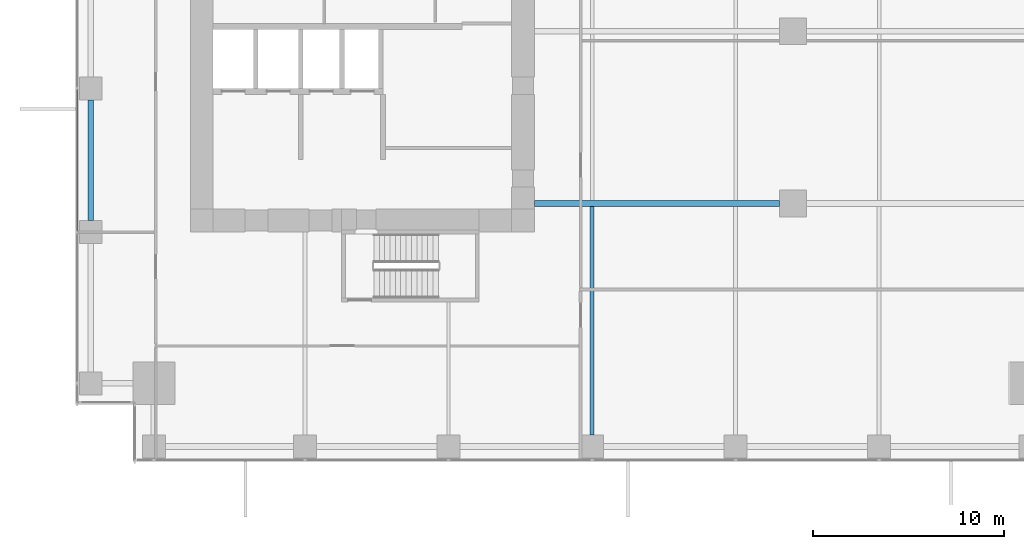
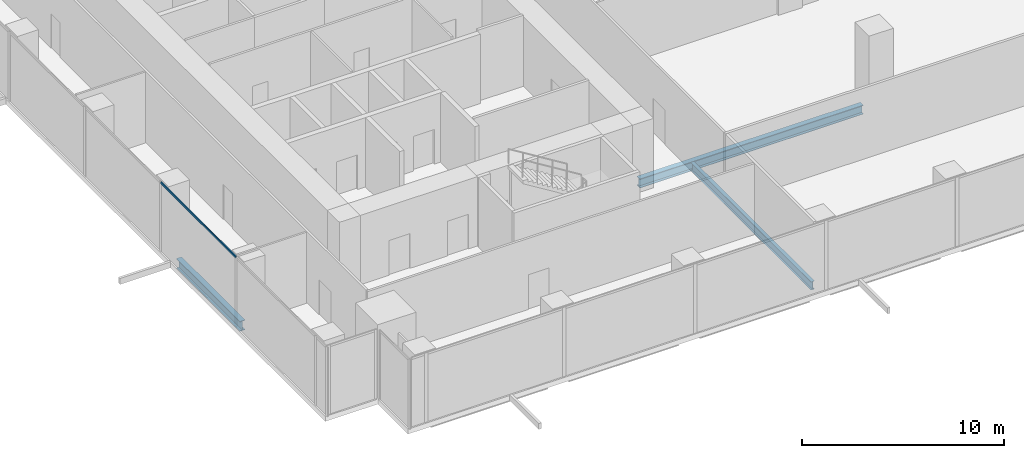
# One storey, part 4 of 33: 3 beams, 1 member, 1 element without a shape of its own.
"""IFC4 building model written with IfcOpenShell, lengths in metres."""

from ifc_helpers import new_model, si_unit, direction, frame, origin, origin_2d, place, context, subcontext, project, spatial, hollow_rectangle, i_section, extrude, source, transform, mapped, material, material_profile, profile_set, type_object, element, aggregate, save


model = new_model("IFC4")

# Units and contexts
model_context = context("Model", 3, precision=1e-05, world=origin(), true_north=direction((0.0, 1.0)))
body_context = subcontext(model_context, "Body", "Model", "MODEL_VIEW")
ifc_project = project(units=[si_unit("LENGTHUNIT", "METRE"), si_unit("AREAUNIT", "SQUARE_METRE"), si_unit("VOLUMEUNIT", "CUBIC_METRE"), si_unit("PLANEANGLEUNIT", "RADIAN"), si_unit("MASSUNIT", "GRAM", prefix="KILO")], contexts=[model_context])

# Site, building, storey
site_placement = place(None, origin())
site = spatial("IfcSite", under=ifc_project, at=site_placement, CompositionType="ELEMENT")
building_placement = place(site_placement, origin())
building = spatial("IfcBuilding", under=site, at=building_placement, Name="Khomas Fold Tower", CompositionType="ELEMENT")
storey_placement = place(building_placement, frame((0.0, 0.0, 78.0)))
storey = spatial("IfcBuildingStorey", under=building, at=storey_placement, Name="L16", CompositionType="ELEMENT", Elevation=78.0)

# Beams
ifc_material_1 = material(Name="Steel S355", Category="steel")
ifc_material_profile_1 = material_profile(ifc_material_1, i_section(OverallWidth=0.300048828125, OverallDepth=0.550048828125, WebThickness=0.014892578125, FlangeThickness=0.029052734375, at=origin_2d()), Name="HE 550 B")
ifc_profile_set_1 = profile_set([ifc_material_profile_1], Name="Steel S355")
beam_type_1 = type_object("IfcBeamType", Name="HE 550 B beam GB4", PredefinedType="BEAM", material=ifc_profile_set_1)
shared_shape_1 = source(origin(), body_context, "Body", "SweptSolid", [
    extrude(i_section(OverallWidth=0.300048828125, OverallDepth=0.550048828125, WebThickness=0.014892578125, FlangeThickness=0.029052734375, at=origin_2d()), origin(), (0.0, 0.0, 1.0), 12.800048828125),
])
beam_1_placement = place(storey_placement, frame((24.0, 13.5, -0.574951171875), z_axis=(1.0, 0.0, 0.0), x_axis=(0.0, 1.0, 0.0)))
element("IfcBeam", 1, at=beam_1_placement, inside=storey, type_object=beam_type_1, Name="GB4", PredefinedType="BEAM", context=body_context, shape_type="MappedRepresentation", body=[
    mapped(shared_shape_1, transform((0.0, 0.0, 0.0))),
])
ifc_material_2 = material(Name="Steel S355", Category="steel")
ifc_material_profile_2 = material_profile(ifc_material_2, i_section(OverallWidth=0.300048828125, OverallDepth=0.60009765625, WebThickness=0.015380859375, FlangeThickness=0.030029296875, at=origin_2d()), Name="HE 600 B")
ifc_profile_set_2 = profile_set([ifc_material_profile_2], Name="Steel S355")
beam_type_2 = type_object("IfcBeamType", Name="HE 600 B spandrel SB1", PredefinedType="SPANDREL", material=ifc_profile_set_2)
shared_shape_2 = source(origin(), body_context, "Body", "SweptSolid", [
    extrude(i_section(OverallWidth=0.300048828125, OverallDepth=0.60009765625, WebThickness=0.015380859375, FlangeThickness=0.030029296875, at=origin_2d()), origin(), (0.0, 0.0, 1.0), 6.2998046875),
])
beam_2_placement = place(storey_placement, frame((0.800048828125, 12.60009765625, -0.60009765625), z_axis=(0.0, 1.0, 0.0), x_axis=(-1.0, 0.0, 0.0)))
element("IfcBeam", 2, at=beam_2_placement, inside=storey, type_object=beam_type_2, Name="SB1", PredefinedType="SPANDREL", context=body_context, shape_type="MappedRepresentation", body=[
    mapped(shared_shape_2, transform((0.0, 0.0, 0.0))),
])
ifc_material_3 = material(Name="Steel S355", Category="steel")
ifc_material_profile_3 = material_profile(ifc_material_3, i_section(OverallWidth=0.199951171875, OverallDepth=0.5, WebThickness=0.01025390625, FlangeThickness=0.01611328125, at=origin_2d()), Name="IPE 500")
ifc_profile_set_3 = profile_set([ifc_material_profile_3], Name="Steel S355")
beam_type_3 = type_object("IfcBeamType", Name="IPE 500 beam JB5", PredefinedType="BEAM", material=ifc_profile_set_3)
shared_shape_3 = source(origin(), body_context, "Body", "SweptSolid", [
    extrude(i_section(OverallWidth=0.199951171875, OverallDepth=0.5, WebThickness=0.01025390625, FlangeThickness=0.01611328125, at=origin_2d()), origin(), (0.0, 0.0, 1.0), 11.9501953125),
])
beam_3_placement = place(storey_placement, frame((27.0, 1.39990234375, -0.550048828125), z_axis=(0.0, 1.0, 0.0), x_axis=(-1.0, 0.0, 0.0)))
element("IfcBeam", 3, at=beam_3_placement, inside=storey, type_object=beam_type_3, Name="JB5", PredefinedType="BEAM", context=body_context, shape_type="MappedRepresentation", body=[
    mapped(shared_shape_3, transform((0.0, 0.0, 0.0))),
])

# Curtain wall, member
ifc_material_4 = material(Name="Aluminium framed double glazing", Category="aluminium")
curtain_wall_type = type_object("IfcCurtainWallType", Name="SK-Unitised clear-glass wall, growing floors CW1", PredefinedType="NOTDEFINED", material=ifc_material_4)
curtain_wall_placement = place(storey_placement, origin())
curtain_wall = element("IfcCurtainWall", 4, at=curtain_wall_placement, inside=storey, type_object=curtain_wall_type, Name="CW1 run L16 09-0", PredefinedType="NOTDEFINED")
ifc_material_5 = material(Name="Aluminium", Category="aluminium")
ifc_material_profile_4 = material_profile(ifc_material_5, hollow_rectangle(XDim=0.06005859375, YDim=0.1201171875, WallThickness=0.00390625, at=origin_2d()), Name="SK-Unitised clear-glass wall, growing floors transom CW1-T")
ifc_profile_set_4 = profile_set([ifc_material_profile_4], Name="Aluminium")
member_type = type_object("IfcMemberType", Name="SK-Unitised clear-glass wall, growing floors transom CW1-T", PredefinedType="USERDEFINED", material=ifc_profile_set_4)
shared_shape_4 = source(origin(), body_context, "Body", "SweptSolid", [
    extrude(hollow_rectangle(XDim=0.06005859375, YDim=0.1201171875, WallThickness=0.00390625, at=origin_2d()), origin(), (0.0, 0.0, 1.0), 7.43994140625),
])
member_placement = place(storey_placement, frame((0.10009765625, 19.469970703125, 4.139892578125), z_axis=(0.0, -1.0, 0.0), x_axis=(1.0, 0.0, 0.0)))
member = element("IfcMember", 5, at=member_placement, type_object=member_type, Name="CW1 transom 6", ObjectType="TRANSOM", PredefinedType="USERDEFINED", context=body_context, shape_type="MappedRepresentation", body=[
    mapped(shared_shape_4, transform((0.0, 0.0, 0.0))),
])
aggregate(curtain_wall, [member])

save(model, "model.ifc")
